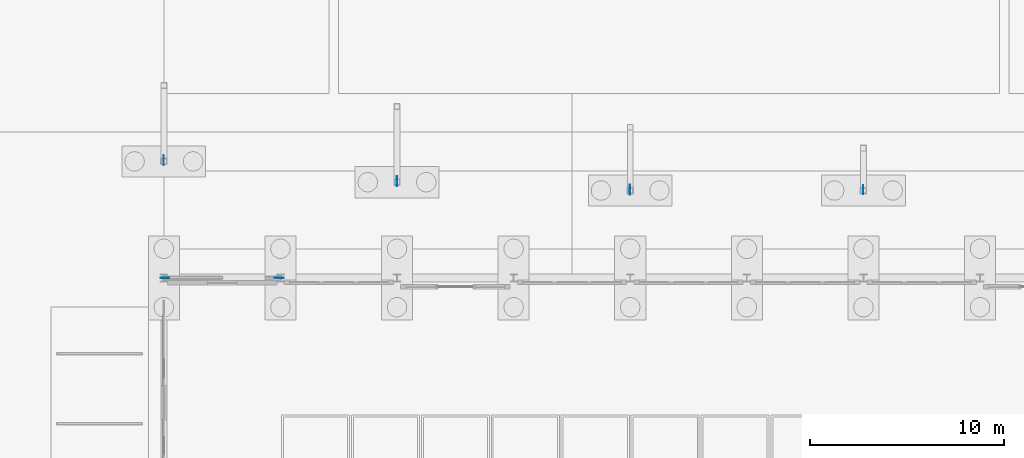
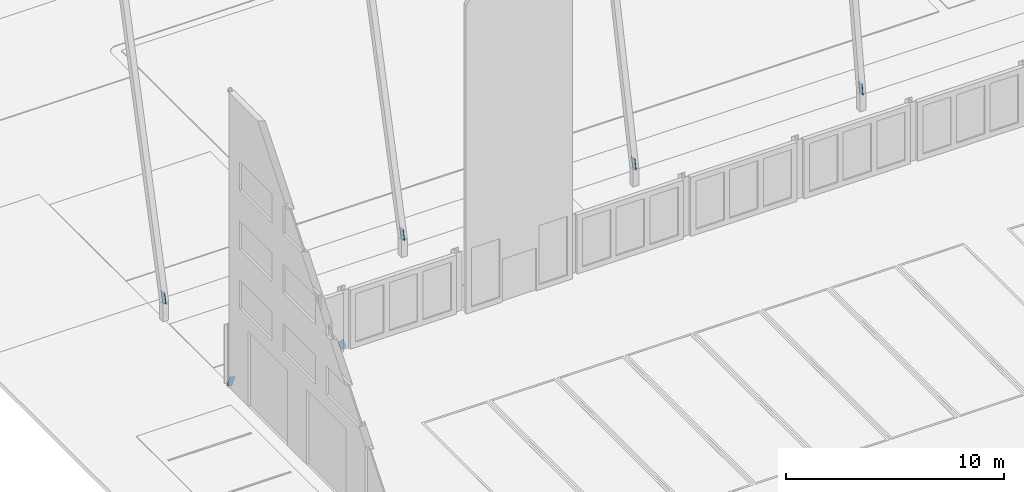
# One storey, part 103 of 130: 6 discrete accessories.
"""IFC4 building model written with IfcOpenShell, lengths in metres."""

from ifc_helpers import new_model, si_unit, direction, frame, origin, place, context, subcontext, project, spatial, polyline, outline, extrude, material, layer, layer_set, type_object, element, save


model = new_model("IFC4")

# Units and contexts
model_context = context("Model", 3, precision=1e-05, world=origin(), true_north=direction((0.0, 1.0)))
body_context = subcontext(model_context, "Body", "Model", "MODEL_VIEW")
ifc_project = project(units=[si_unit("LENGTHUNIT", "METRE"), si_unit("AREAUNIT", "SQUARE_METRE"), si_unit("VOLUMEUNIT", "CUBIC_METRE"), si_unit("PLANEANGLEUNIT", "RADIAN"), si_unit("MASSUNIT", "GRAM", prefix="KILO")], contexts=[model_context])

# Site, building, storey
site_placement = place(None, origin())
site = spatial("IfcSite", under=ifc_project, at=site_placement, CompositionType="ELEMENT")
building_placement = place(site_placement, origin())
building = spatial("IfcBuilding", under=site, at=building_placement, Name="Parallax Yard Mobility Hub", CompositionType="ELEMENT")
storey_placement = place(building_placement, origin())
storey = spatial("IfcBuildingStorey", under=building, at=storey_placement, Name="L00", CompositionType="ELEMENT", Elevation=0.0)

# Discrete accessories
ifc_material = material(Name="Steel ASTM A36", Category="steel")
ifc_layer = layer(ifc_material, 0.011962890625)
ifc_layer_set = layer_set([ifc_layer], Name="Gusset plate PL12")
discrete_accessory_type = type_object("IfcDiscreteAccessoryType", Name="Gusset plate PL12", PredefinedType="BRACKET", material=ifc_layer_set)
discrete_accessory_1_placement = place(storey_placement, frame((14.997314453125, 52.5, 0.445068359375), z_axis=(0.0, 1.0, 0.0), x_axis=(0.341782322268, 0.0, -0.939779146494)))
element("IfcDiscreteAccessory", 1, at=discrete_accessory_1_placement, inside=storey, type_object=discrete_accessory_type, Name="Gusset plate PL12 at end 1 of X brace west end bay north face level 0 2", PredefinedType="BRACKET", context=body_context, shape_type="SweptSolid", body=[
    extrude(outline(polyline([(0.0, 0.0), (0.49930697334641216, 0.0), (0.49908589131067727, 0.29919203795634136), (9.179918222466943e-05, 0.29904604263792683), (0.0, 0.0)])), origin(), (0.0, 0.0, -1.0), 0.011962890625),
])
discrete_accessory_2_placement = place(storey_placement, frame((9.28369140625, 52.5, 0.3427734375), z_axis=(0.0, 1.0, 0.0), x_axis=(-0.341507347771, 0.0, -0.939879104682)))
element("IfcDiscreteAccessory", 2, at=discrete_accessory_2_placement, inside=storey, type_object=discrete_accessory_type, Name="Gusset plate PL12 at end 1 of X brace west end bay north face level 0 1 (half 1)", PredefinedType="BRACKET", context=body_context, shape_type="SweptSolid", body=[
    extrude(outline(polyline([(0.0, 0.0), (0.4989941134860528, 0.0), (0.4991276581332899, 0.2991920898345452), (-0.00017929384213138944, 0.2990460029798305), (0.0, 0.0)])), origin(), (0.0, 0.0, -1.0), 0.011962890625),
])
discrete_accessory_3_placement = place(storey_placement, frame((9.0, 58.436279296875, 1.536376953125), z_axis=(1.0, 0.0, 0.0), x_axis=(0.0, -0.243419704446, -0.969921052193)))
element("IfcDiscreteAccessory", 3, at=discrete_accessory_3_placement, inside=storey, type_object=discrete_accessory_type, Name="Gusset plate PL12 at end 1 of Prow strut F1", PredefinedType="BRACKET", context=body_context, shape_type="SweptSolid", body=[
    extrude(outline(polyline([(0.0, 0.0), (0.5847266337735966, 0.0), (0.5847903437208316, 0.38488341194105347), (-0.00011365854586725677, 0.38458718617038956), (0.0, 0.0)])), origin(), (0.0, 0.0, -1.0), 0.011962890625),
])
discrete_accessory_4_placement = place(storey_placement, frame((21.0, 57.36474609375, 1.536376953125), z_axis=(1.0, 0.0, 0.0), x_axis=(0.0, -0.243419704446, -0.969921052193)))
element("IfcDiscreteAccessory", 4, at=discrete_accessory_4_placement, inside=storey, type_object=discrete_accessory_type, Name="Gusset plate PL12 at end 1 of Prow strut F3", PredefinedType="BRACKET", context=body_context, shape_type="SweptSolid", body=[
    extrude(outline(polyline([(0.0, 0.0), (0.5847266337735966, 0.0), (0.5847903437208316, 0.38488341194105347), (-0.00017308718464807693, 0.38482398330227263), (0.0, 0.0)])), origin(), (0.0, 0.0, -1.0), 0.011962890625),
])
discrete_accessory_5_placement = place(storey_placement, frame((33.0, 56.915283203125, 1.533447265625), z_axis=(1.0, 0.0, 0.0), x_axis=(0.0, -0.205021304497, -0.978757510675)))
element("IfcDiscreteAccessory", 5, at=discrete_accessory_5_placement, inside=storey, type_object=discrete_accessory_type, Name="Gusset plate PL12 at end 1 of Prow strut F5", PredefinedType="BRACKET", context=body_context, shape_type="SweptSolid", body=[
    extrude(outline(polyline([(0.0, 0.0), (0.5846858070141062, 1.3877787807814457e-17), (0.5846847875837718, 0.3846352448274136), (-1.0194303343841193e-06, 0.3846352448274137), (0.0, 0.0)])), origin(), (0.0, 0.0, -1.0), 0.011962890625),
])
discrete_accessory_6_placement = place(storey_placement, frame((45.0, 56.879638671875, 1.526611328125), z_axis=(1.0, 0.0, 0.0), x_axis=(0.0, -0.13902454285, -0.990288935859)))
element("IfcDiscreteAccessory", 6, at=discrete_accessory_6_placement, inside=storey, type_object=discrete_accessory_type, Name="Gusset plate PL12 at end 1 of Prow strut F7", PredefinedType="BRACKET", context=body_context, shape_type="SweptSolid", body=[
    extrude(outline(polyline([(0.0, 0.0), (0.5847804024969028, 0.0), (0.5847452378396064, 0.38483579193372075), (-3.51646572964992e-05, 0.3848357919337208), (0.0, 0.0)])), origin(), (0.0, 0.0, -1.0), 0.011962890625),
])

save(model, "model.ifc")
